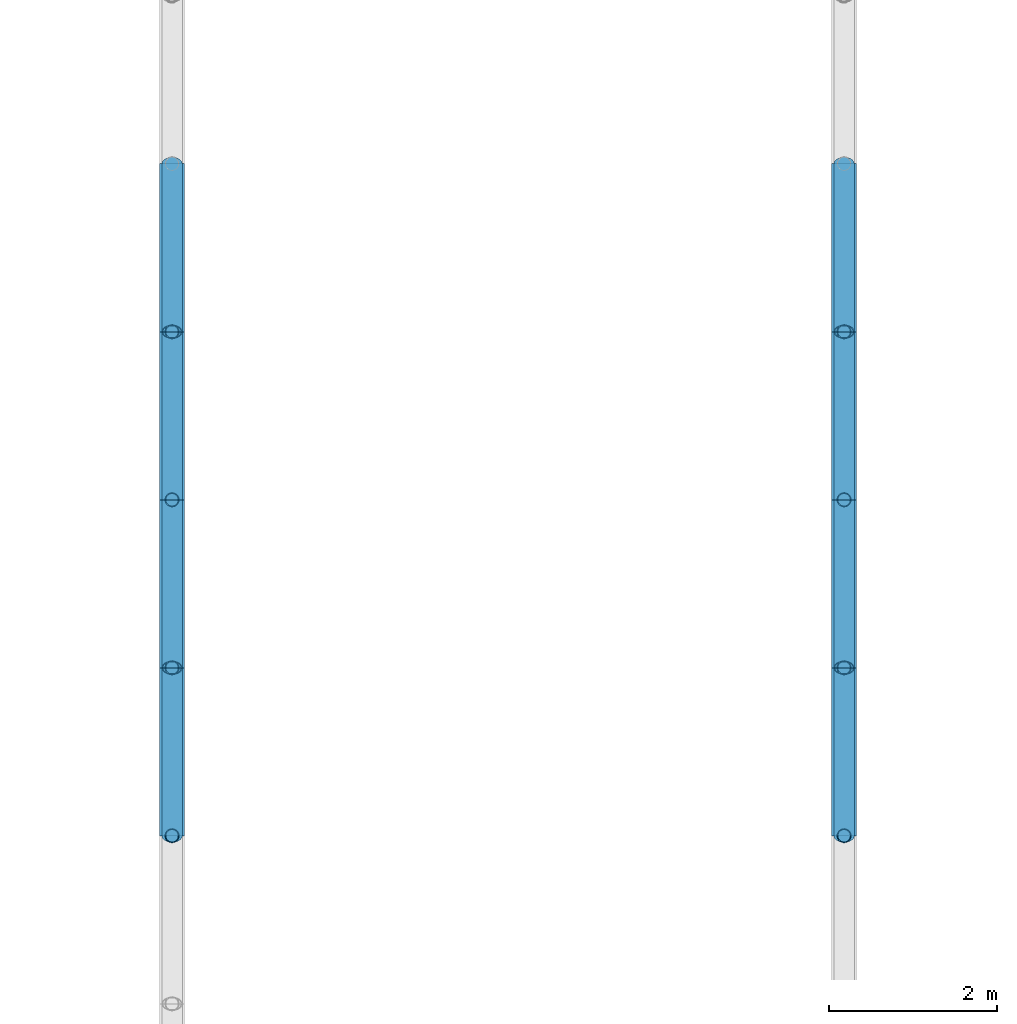
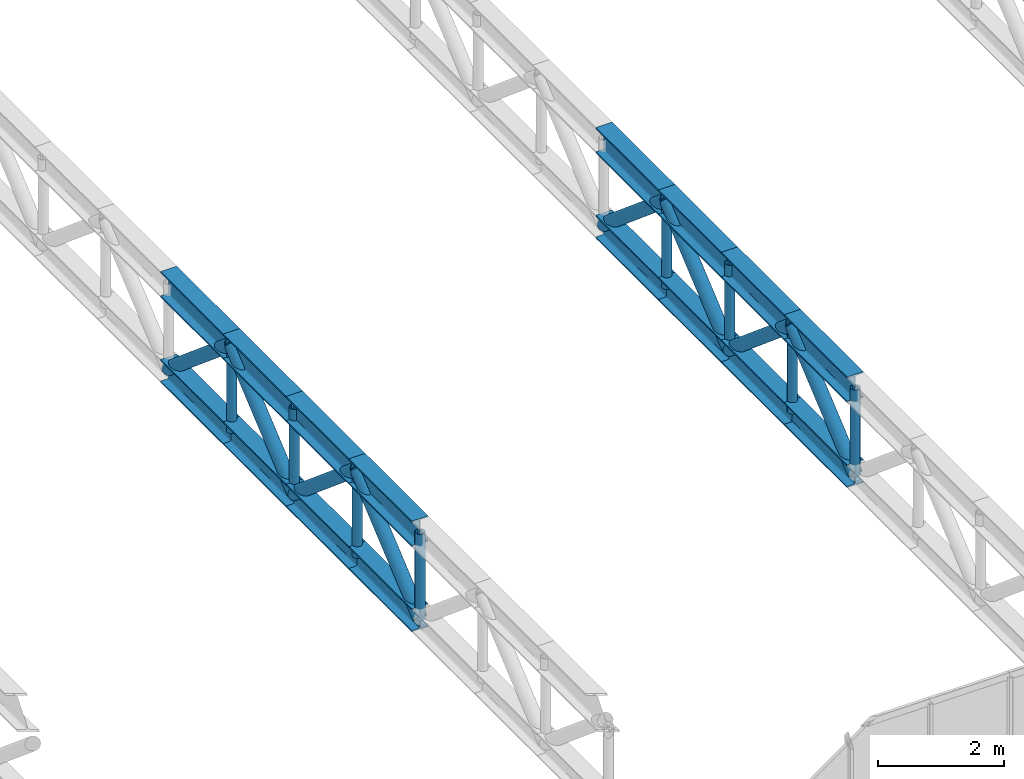
# One storey, part 15 of 67: 32 members.
"""IFC4 building model written with IfcOpenShell, lengths in metres."""

from ifc_helpers import new_model, si_unit, derived_unit, direction, frame, origin, origin_2d, place, context, subcontext, project, spatial, hollow_circle, i_section, extrude, material, material_profile, profile_set, type_object, element, save


model = new_model("IFC4")

# Units and contexts
model_context = context("Model", 3, precision=1e-05, world=origin(), true_north=direction((0.0, 1.0)))
body_context = subcontext(model_context, "Body", "Model", "MODEL_VIEW")
ifc_project = project(units=[si_unit("LENGTHUNIT", "METRE"), si_unit("AREAUNIT", "SQUARE_METRE"), si_unit("VOLUMEUNIT", "CUBIC_METRE"), si_unit("PLANEANGLEUNIT", "RADIAN"), si_unit("MASSUNIT", "GRAM", prefix="KILO"), derived_unit("THERMALTRANSMITTANCEUNIT", [(si_unit("POWERUNIT", "WATT"), 1), (si_unit("LENGTHUNIT", "METRE"), -2), (si_unit("THERMODYNAMICTEMPERATUREUNIT", "KELVIN"), -1)])], contexts=[model_context])

# Site, building, storey
site_placement = place(None, origin())
site = spatial("IfcSite", under=ifc_project, at=site_placement, CompositionType="ELEMENT")
building_placement = place(site_placement, origin())
building = spatial("IfcBuilding", under=site, at=building_placement, Name="Keldorne Ridge Multi-Sports Centre", CompositionType="ELEMENT")
storey_placement = place(building_placement, frame((0.0, 0.0, 14.0)))
storey = spatial("IfcBuildingStorey", under=building, at=storey_placement, Name="L03", CompositionType="ELEMENT", Elevation=14.0)

# Members
ifc_material = material(Name="Steel S355", Category="steel")
ifc_material_profile_1 = material_profile(ifc_material, i_section(OverallWidth=0.300048828125, OverallDepth=0.5, WebThickness=0.014404296875, FlangeThickness=0.028076171875, FilletRadius=0.027099609375, at=origin_2d()), Name="HEB 500")
ifc_profile_set_1 = profile_set([ifc_material_profile_1], Name="Steel S355")
member_type_1 = type_object("IfcMemberType", Name="MEM-TC-03", PredefinedType="CHORD", material=ifc_profile_set_1)
for number, where, z_axis, x_axis, name in (
    (1, (120.0, 14.0, 4.110107421875), (0.0, 1.0, 0.0), (-1.0, 0.0, 0.0), "Stacked Courts Warren TRUSS WT-L04-03 top chord 5"),
    (2, (120.0, 16.0, 4.110107421875), (0.0, 1.0, 0.0), (-1.0, 0.0, 0.0), "Stacked Courts Warren TRUSS WT-L04-03 top chord 6"),
    (3, (120.0, 18.0, 4.110107421875), (0.0, 1.0, 0.0), (-1.0, 0.0, 0.0), "Stacked Courts Warren TRUSS WT-L04-03 top chord 7"),
    (4, (120.0, 20.0, 4.110107421875), (0.0, 1.0, 0.0), (-1.0, 0.0, 0.0), "Stacked Courts Warren TRUSS WT-L04-03 top chord 8"),
    (5, (128.0, 14.0, 4.110107421875), (0.0, 1.0, 0.0), (-1.0, 0.0, 0.0), "Stacked Courts Warren TRUSS WT-L04-04 top chord 5"),
    (6, (128.0, 16.0, 4.110107421875), (0.0, 1.0, 0.0), (-1.0, 0.0, 0.0), "Stacked Courts Warren TRUSS WT-L04-04 top chord 6"),
    (7, (128.0, 18.0, 4.110107421875), (0.0, 1.0, 0.0), (-1.0, 0.0, 0.0), "Stacked Courts Warren TRUSS WT-L04-04 top chord 7"),
    (8, (128.0, 20.0, 4.110107421875), (0.0, 1.0, 0.0), (-1.0, 0.0, 0.0), "Stacked Courts Warren TRUSS WT-L04-04 top chord 8"),
):
    element("IfcMember", number, at=place(storey_placement, frame(where, z_axis=z_axis, x_axis=x_axis)), inside=storey, type_object=member_type_1, Name=name, PredefinedType="CHORD", context=body_context, shape_type="SweptSolid", body=[
        extrude(i_section(OverallWidth=0.300048828125, OverallDepth=0.5, WebThickness=0.014404296875, FlangeThickness=0.028076171875, FilletRadius=0.027099609375, at=origin_2d()), origin(), (0.0, 0.0, 1.0), 2.0),
    ])
ifc_material_profile_2 = material_profile(ifc_material, i_section(OverallWidth=0.300048828125, OverallDepth=0.449951171875, WebThickness=0.013916015625, FlangeThickness=0.02587890625, FilletRadius=0.027099609375, at=origin_2d()), Name="HEB 450")
ifc_profile_set_2 = profile_set([ifc_material_profile_2], Name="Steel S355")
member_type_2 = type_object("IfcMemberType", Name="MEM-TC-04", PredefinedType="CHORD", material=ifc_profile_set_2)
for number, where, z_axis, x_axis, name in (
    (9, (120.0, 14.0, 2.429931640625), (0.0, 1.0, 0.0), (-1.0, 0.0, 0.0), "Stacked Courts Warren TRUSS WT-L04-03 bottom chord 5"),
    (10, (120.0, 16.0, 2.429931640625), (0.0, 1.0, 0.0), (-1.0, 0.0, 0.0), "Stacked Courts Warren TRUSS WT-L04-03 bottom chord 6"),
    (11, (120.0, 18.0, 2.429931640625), (0.0, 1.0, 0.0), (-1.0, 0.0, 0.0), "Stacked Courts Warren TRUSS WT-L04-03 bottom chord 7"),
    (12, (120.0, 20.0, 2.429931640625), (0.0, 1.0, 0.0), (-1.0, 0.0, 0.0), "Stacked Courts Warren TRUSS WT-L04-03 bottom chord 8"),
    (13, (128.0, 14.0, 2.429931640625), (0.0, 1.0, 0.0), (-1.0, 0.0, 0.0), "Stacked Courts Warren TRUSS WT-L04-04 bottom chord 5"),
    (14, (128.0, 16.0, 2.429931640625), (0.0, 1.0, 0.0), (-1.0, 0.0, 0.0), "Stacked Courts Warren TRUSS WT-L04-04 bottom chord 6"),
    (15, (128.0, 18.0, 2.429931640625), (0.0, 1.0, 0.0), (-1.0, 0.0, 0.0), "Stacked Courts Warren TRUSS WT-L04-04 bottom chord 7"),
    (16, (128.0, 20.0, 2.429931640625), (0.0, 1.0, 0.0), (-1.0, 0.0, 0.0), "Stacked Courts Warren TRUSS WT-L04-04 bottom chord 8"),
):
    element("IfcMember", number, at=place(storey_placement, frame(where, z_axis=z_axis, x_axis=x_axis)), inside=storey, type_object=member_type_2, Name=name, PredefinedType="CHORD", context=body_context, shape_type="SweptSolid", body=[
        extrude(i_section(OverallWidth=0.300048828125, OverallDepth=0.449951171875, WebThickness=0.013916015625, FlangeThickness=0.02587890625, FilletRadius=0.027099609375, at=origin_2d()), origin(), (0.0, 0.0, 1.0), 2.0),
    ])
ifc_material_profile_3 = material_profile(ifc_material, hollow_circle(Radius=0.122314453125, WallThickness=0.012451171875, at=origin_2d()), Name="CHS 244.5x12.5")
ifc_profile_set_3 = profile_set([ifc_material_profile_3], Name="Steel S355")
member_type_3 = type_object("IfcMemberType", Name="MEM-TD-02", PredefinedType="BRACE", material=ifc_profile_set_3)
for number, where, z_axis, x_axis, name in (
    (17, (120.0, 14.0, 2.429931640625), (0.0, 0.765671721121, 0.643231541108), (-1.0, 0.0, 0.0), "Stacked Courts Warren TRUSS WT-L04-03 diagonal 5"),
    (18, (120.0, 16.0, 4.110107421875), (0.0, 0.765671721121, -0.643231541108), (-1.0, 0.0, 0.0), "Stacked Courts Warren TRUSS WT-L04-03 diagonal 6"),
    (19, (120.0, 18.0, 2.429931640625), (0.0, 0.765671721121, 0.643231541108), (-1.0, 0.0, 0.0), "Stacked Courts Warren TRUSS WT-L04-03 diagonal 7"),
    (20, (120.0, 20.0, 4.110107421875), (0.0, 0.765671721121, -0.643231541108), (-1.0, 0.0, 0.0), "Stacked Courts Warren TRUSS WT-L04-03 diagonal 8"),
    (21, (128.0, 14.0, 2.429931640625), (0.0, 0.765671721121, 0.643231541108), (-1.0, 0.0, 0.0), "Stacked Courts Warren TRUSS WT-L04-04 diagonal 5"),
    (22, (128.0, 16.0, 4.110107421875), (0.0, 0.765671721121, -0.643231541108), (-1.0, 0.0, 0.0), "Stacked Courts Warren TRUSS WT-L04-04 diagonal 6"),
    (23, (128.0, 18.0, 2.429931640625), (0.0, 0.765671721121, 0.643231541108), (-1.0, 0.0, 0.0), "Stacked Courts Warren TRUSS WT-L04-04 diagonal 7"),
    (24, (128.0, 20.0, 4.110107421875), (0.0, 0.765671721121, -0.643231541108), (-1.0, 0.0, 0.0), "Stacked Courts Warren TRUSS WT-L04-04 diagonal 8"),
):
    element("IfcMember", number, at=place(storey_placement, frame(where, z_axis=z_axis, x_axis=x_axis)), inside=storey, type_object=member_type_3, Name=name, PredefinedType="BRACE", context=body_context, shape_type="SweptSolid", body=[
        extrude(hollow_circle(Radius=0.122314453125, WallThickness=0.012451171875, at=origin_2d()), origin(), (0.0, 0.0, 1.0), 2.612060546875),
    ])
ifc_material_profile_4 = material_profile(ifc_material, hollow_circle(Radius=0.084228515625, WallThickness=0.010009765625, at=origin_2d()), Name="CHS 168.3x10")
ifc_profile_set_4 = profile_set([ifc_material_profile_4], Name="Steel S355")
member_type_4 = type_object("IfcMemberType", Name="MEM-TV-01", PredefinedType="STRUT", material=ifc_profile_set_4)
for number, where, z_axis, x_axis, name in (
    (25, (120.0, 14.0, 2.429931640625), (0.0, 0.0, 1.0), (1.0, 0.0, 0.0), "Stacked Courts Warren TRUSS WT-L04-03 post 5"),
    (26, (120.0, 16.0, 2.429931640625), (0.0, 0.0, 1.0), (1.0, 0.0, 0.0), "Stacked Courts Warren TRUSS WT-L04-03 post 6"),
    (27, (120.0, 18.0, 2.429931640625), (0.0, 0.0, 1.0), (1.0, 0.0, 0.0), "Stacked Courts Warren TRUSS WT-L04-03 post 7"),
    (28, (120.0, 20.0, 2.429931640625), (0.0, 0.0, 1.0), (1.0, 0.0, 0.0), "Stacked Courts Warren TRUSS WT-L04-03 post 8"),
    (29, (128.0, 14.0, 2.429931640625), (0.0, 0.0, 1.0), (1.0, 0.0, 0.0), "Stacked Courts Warren TRUSS WT-L04-04 post 5"),
    (30, (128.0, 16.0, 2.429931640625), (0.0, 0.0, 1.0), (1.0, 0.0, 0.0), "Stacked Courts Warren TRUSS WT-L04-04 post 6"),
    (31, (128.0, 18.0, 2.429931640625), (0.0, 0.0, 1.0), (1.0, 0.0, 0.0), "Stacked Courts Warren TRUSS WT-L04-04 post 7"),
    (32, (128.0, 20.0, 2.429931640625), (0.0, 0.0, 1.0), (1.0, 0.0, 0.0), "Stacked Courts Warren TRUSS WT-L04-04 post 8"),
):
    element("IfcMember", number, at=place(storey_placement, frame(where, z_axis=z_axis, x_axis=x_axis)), inside=storey, type_object=member_type_4, Name=name, PredefinedType="STRUT", context=body_context, shape_type="SweptSolid", body=[
        extrude(hollow_circle(Radius=0.084228515625, WallThickness=0.010009765625, at=origin_2d()), origin(), (0.0, 0.0, 1.0), 1.68017578125),
    ])

save(model, "model.ifc")
